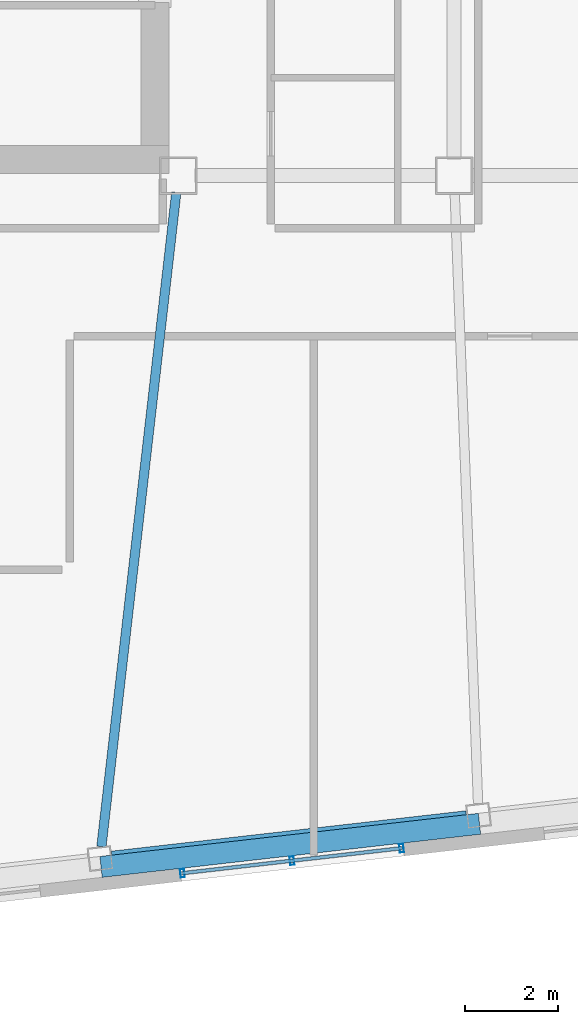
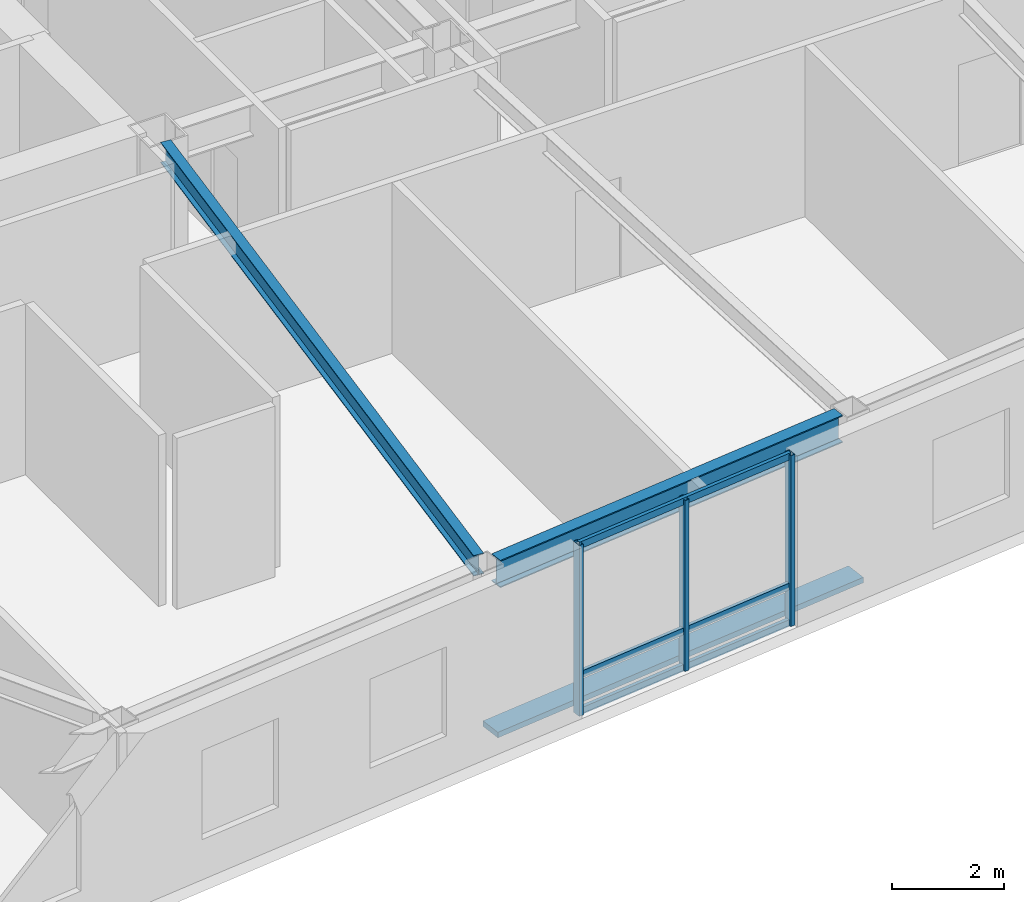
# One storey, part 4 of 19: 7 members, 2 beams, 1 element without a shape of its own.
"""IFC4 building model written with IfcOpenShell, lengths in metres."""

from ifc_helpers import new_model, si_unit, direction, frame, origin, origin_2d, place, context, subcontext, project, spatial, rectangle, hollow_rectangle, i_section, extrude, material, layer, layer_set, material_profile, profile_set, type_object, element, aggregate, save


model = new_model("IFC4")

# Units and contexts
model_context = context("Model", 3, precision=1e-05, world=origin(), true_north=direction((0.0, 1.0)))
body_context = subcontext(model_context, "Body", "Model", "MODEL_VIEW")
ifc_project = project(units=[si_unit("LENGTHUNIT", "METRE"), si_unit("AREAUNIT", "SQUARE_METRE"), si_unit("VOLUMEUNIT", "CUBIC_METRE"), si_unit("PLANEANGLEUNIT", "RADIAN"), si_unit("MASSUNIT", "GRAM", prefix="KILO")], contexts=[model_context])

# Site, building, storey
site_placement = place(None, origin())
site = spatial("IfcSite", under=ifc_project, at=site_placement, CompositionType="ELEMENT")
building_placement = place(site_placement, origin())
building = spatial("IfcBuilding", under=site, at=building_placement, Name="Tavrogorsk Clinical Tower", CompositionType="ELEMENT")
storey_placement = place(building_placement, frame((0.0, 0.0, 255.0)))
storey = spatial("IfcBuildingStorey", under=building, at=storey_placement, Name="L59", CompositionType="ELEMENT", Elevation=255.0)

# Member
ifc_material_1 = material(Name="Anodised aluminium alloy AW-6063", Category="aluminium")
ifc_material_profile_1 = material_profile(ifc_material_1, rectangle(XDim=0.449951171875, YDim=0.1201171875, at=origin_2d()), Name="ALU-SUNSHADE-450x120")
ifc_profile_set_1 = profile_set([ifc_material_profile_1], Name="Anodised aluminium alloy AW-6063")
member_type_1 = type_object("IfcMemberType", Name="ChicagoSunshade_450x120", PredefinedType="USERDEFINED", material=ifc_profile_set_1)
member_1_placement = place(storey_placement, frame((-11.951904296875, -21.136474609375, 0.179931640625), z_axis=(0.9935729766, 0.113193375116, 0.0), x_axis=(-0.113193375116, 0.9935729766, 0.0)))
element("IfcMember", 1, at=member_1_placement, inside=storey, type_object=member_type_1, Name="L59 South Aluminium Sunshade S3", ObjectType="SUNSHADE", PredefinedType="USERDEFINED", context=body_context, shape_type="SweptSolid", body=[
    extrude(rectangle(XDim=0.449951171875, YDim=0.1201171875, at=origin_2d()), origin(), (0.0, 0.0, 1.0), 8.148681640625),
])

# Curtain wall, members
ifc_material_2 = material(Name="Anodised aluminium and triple IGU glazing", Category="aluminium")
ifc_layer = layer(ifc_material_2, 0.179931640625)
ifc_layer_set = layer_set([ifc_layer], Name="Anodised aluminium and triple IGU glazing")
curtain_wall_type = type_object("IfcCurtainWallType", Name="CW3_SouthSlot", PredefinedType="NOTDEFINED", material=ifc_layer_set)
curtain_wall_placement = place(storey_placement, origin())
curtain_wall = element("IfcCurtainWall", 2, at=curtain_wall_placement, inside=storey, type_object=curtain_wall_type, Name="L59 Curtain Wall CW-L59-S-SLOT-1", PredefinedType="NOTDEFINED")
ifc_material_3 = material(Name="Anodised aluminium alloy AW-6060", Category="aluminium")
ifc_material_profile_2 = material_profile(ifc_material_3, hollow_rectangle(XDim=0.090087890625, YDim=0.179931640625, WallThickness=0.00634765625, at=origin_2d()), Name="RHS-180x90x6.3")
ifc_profile_set_2 = profile_set([ifc_material_profile_2], Name="Anodised aluminium alloy AW-6060")
member_type_2 = type_object("IfcMemberType", Name="CwMullion_180x90", PredefinedType="MULLION", material=ifc_profile_set_2)
member_2_placement = place(storey_placement, frame((-10.21044921875, -21.270263671875, 0.0), z_axis=(0.0, 0.0, 1.0), x_axis=(0.993571855603, 0.11320321441, 0.0)))
member_2 = element("IfcMember", 3, at=member_2_placement, type_object=member_type_2, Name="CW-L59-S-SLOT-1 Mullion 1", PredefinedType="MULLION", context=body_context, shape_type="SweptSolid", body=[
    extrude(hollow_rectangle(XDim=0.090087890625, YDim=0.179931640625, WallThickness=0.00634765625, at=origin_2d()), origin(), (0.0, 0.0, 1.0), 3.739990234375),
])
member_3_placement = place(storey_placement, frame((-7.866455078125, -21.003173828125, 0.0), z_axis=(0.0, 0.0, 1.0), x_axis=(0.993571855603, 0.11320321441, 0.0)))
member_3 = element("IfcMember", 4, at=member_3_placement, type_object=member_type_2, Name="CW-L59-S-SLOT-1 Mullion 2", PredefinedType="MULLION", context=body_context, shape_type="SweptSolid", body=[
    extrude(hollow_rectangle(XDim=0.090087890625, YDim=0.179931640625, WallThickness=0.00634765625, at=origin_2d()), origin(), (0.0, 0.0, 1.0), 3.739990234375),
])
member_4_placement = place(storey_placement, frame((-5.522705078125, -20.736083984375, 0.0), z_axis=(0.0, 0.0, 1.0), x_axis=(0.993571855603, 0.11320321441, 0.0)))
member_4 = element("IfcMember", 5, at=member_4_placement, type_object=member_type_2, Name="CW-L59-S-SLOT-1 Mullion 3", PredefinedType="MULLION", context=body_context, shape_type="SweptSolid", body=[
    extrude(hollow_rectangle(XDim=0.090087890625, YDim=0.179931640625, WallThickness=0.00634765625, at=origin_2d()), origin(), (0.0, 0.0, 1.0), 3.739990234375),
])
ifc_material_4 = material(Name="Anodised aluminium alloy AW-6060", Category="aluminium")
ifc_material_profile_3 = material_profile(ifc_material_4, hollow_rectangle(XDim=0.074951171875, YDim=0.14990234375, WallThickness=0.0048828125, at=origin_2d()), Name="RHS-150x75x5")
ifc_profile_set_3 = profile_set([ifc_material_profile_3], Name="Anodised aluminium alloy AW-6060")
member_type_3 = type_object("IfcMemberType", Name="CwTransom_150x75", PredefinedType="USERDEFINED", material=ifc_profile_set_3)
member_5_placement = place(storey_placement, frame((-10.21044921875, -21.270263671875, 0.050048828125), z_axis=(0.993569979218, 0.113219682023, 0.0), x_axis=(-0.113219682023, 0.993569979218, 0.0)))
member_5 = element("IfcMember", 6, at=member_5_placement, type_object=member_type_3, Name="CW-L59-S-SLOT-1 Transom 1", ObjectType="TRANSOM", PredefinedType="USERDEFINED", context=body_context, shape_type="SweptSolid", body=[
    extrude(hollow_rectangle(XDim=0.074951171875, YDim=0.14990234375, WallThickness=0.0048828125, at=origin_2d()), origin(), (0.0, 0.0, 1.0), 4.718017578125),
])
member_6_placement = place(storey_placement, frame((-10.21044921875, -21.270263671875, 0.85009765625), z_axis=(0.993569979218, 0.113219682023, 0.0), x_axis=(-0.113219682023, 0.993569979218, 0.0)))
member_6 = element("IfcMember", 7, at=member_6_placement, type_object=member_type_3, Name="CW-L59-S-SLOT-1 Transom 2", ObjectType="TRANSOM", PredefinedType="USERDEFINED", context=body_context, shape_type="SweptSolid", body=[
    extrude(hollow_rectangle(XDim=0.074951171875, YDim=0.14990234375, WallThickness=0.0048828125, at=origin_2d()), origin(), (0.0, 0.0, 1.0), 4.718017578125),
])
member_7_placement = place(storey_placement, frame((-10.21044921875, -21.270263671875, 3.68994140625), z_axis=(0.993569979218, 0.113219682023, 0.0), x_axis=(-0.113219682023, 0.993569979218, 0.0)))
member_7 = element("IfcMember", 8, at=member_7_placement, type_object=member_type_3, Name="CW-L59-S-SLOT-1 Transom 3", ObjectType="TRANSOM", PredefinedType="USERDEFINED", context=body_context, shape_type="SweptSolid", body=[
    extrude(hollow_rectangle(XDim=0.074951171875, YDim=0.14990234375, WallThickness=0.0048828125, at=origin_2d()), origin(), (0.0, 0.0, 1.0), 4.718017578125),
])
aggregate(curtain_wall, [member_2, member_3, member_4, member_5, member_6, member_7])

# Beams
ifc_material_5 = material(Name="Structural steel S355", Category="steel")
ifc_material_profile_4 = material_profile(ifc_material_5, i_section(OverallWidth=0.199951171875, OverallDepth=0.449951171875, WebThickness=0.011474609375, FlangeThickness=0.01806640625, at=origin_2d()), Name="B-450x200x11.5x18")
ifc_profile_set_4 = profile_set([ifc_material_profile_4], Name="Structural steel S355")
beam_type_1 = type_object("IfcBeamType", Name="FloorBeam_B450", PredefinedType="BEAM", material=ifc_profile_set_4)
beam_1_placement = place(storey_placement, frame((-10.341064453125, -6.707763671875, 3.514892578125), z_axis=(-0.113743110947, -0.993510193562, 0.0), x_axis=(0.993510193562, -0.113743110947, 0.0)))
element("IfcBeam", 9, at=beam_1_placement, inside=storey, type_object=beam_type_1, Name="L59 Radial Floor Beam S3", PredefinedType="BEAM", context=body_context, shape_type="SweptSolid", body=[
    extrude(i_section(OverallWidth=0.199951171875, OverallDepth=0.449951171875, WebThickness=0.011474609375, FlangeThickness=0.01806640625, at=origin_2d()), origin(), (0.0, 0.0, 1.0), 14.084716796875),
])
ifc_material_6 = material(Name="Structural steel S390", Category="steel")
ifc_material_profile_5 = material_profile(ifc_material_6, i_section(OverallWidth=0.260009765625, OverallDepth=0.60009765625, WebThickness=0.014892578125, FlangeThickness=0.02392578125, at=origin_2d()), Name="B-600x260x15x24")
ifc_profile_set_5 = profile_set([ifc_material_profile_5], Name="Structural steel S390")
beam_type_2 = type_object("IfcBeamType", Name="SpandrelBeam_B600", PredefinedType="SPANDREL", material=ifc_profile_set_5)
beam_2_placement = place(storey_placement, frame((-11.716064453125, -20.928466796875, 3.43994140625), z_axis=(0.993572509708, 0.113197473259, 0.0), x_axis=(-0.113197473259, 0.993572509708, 0.0)))
element("IfcBeam", 10, at=beam_2_placement, inside=storey, type_object=beam_type_2, Name="L59 Perimeter Spandrel S3-S4", PredefinedType="SPANDREL", context=body_context, shape_type="SweptSolid", body=[
    extrude(i_section(OverallWidth=0.260009765625, OverallDepth=0.60009765625, WebThickness=0.014892578125, FlangeThickness=0.02392578125, at=origin_2d()), origin(), (0.0, 0.0, 1.0), 7.6328125),
])

save(model, "model.ifc")
